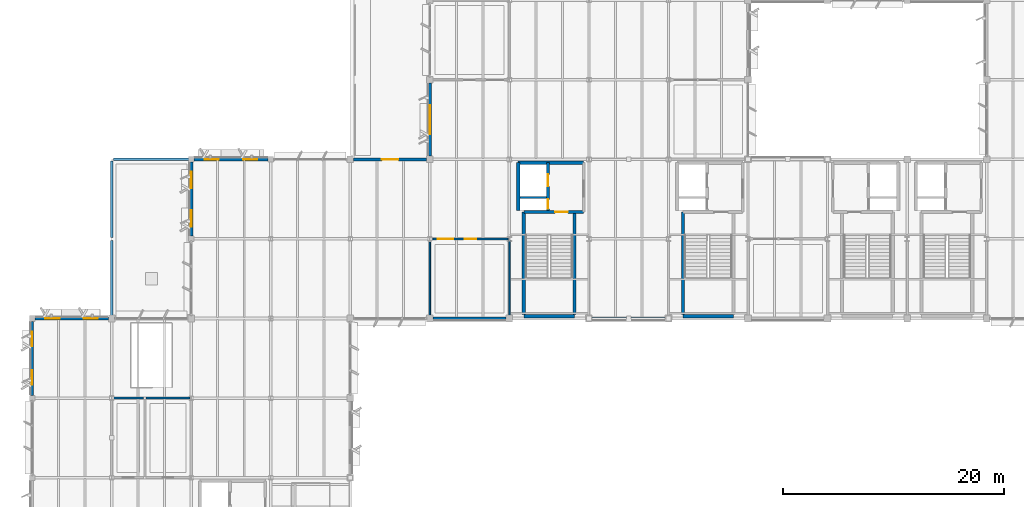
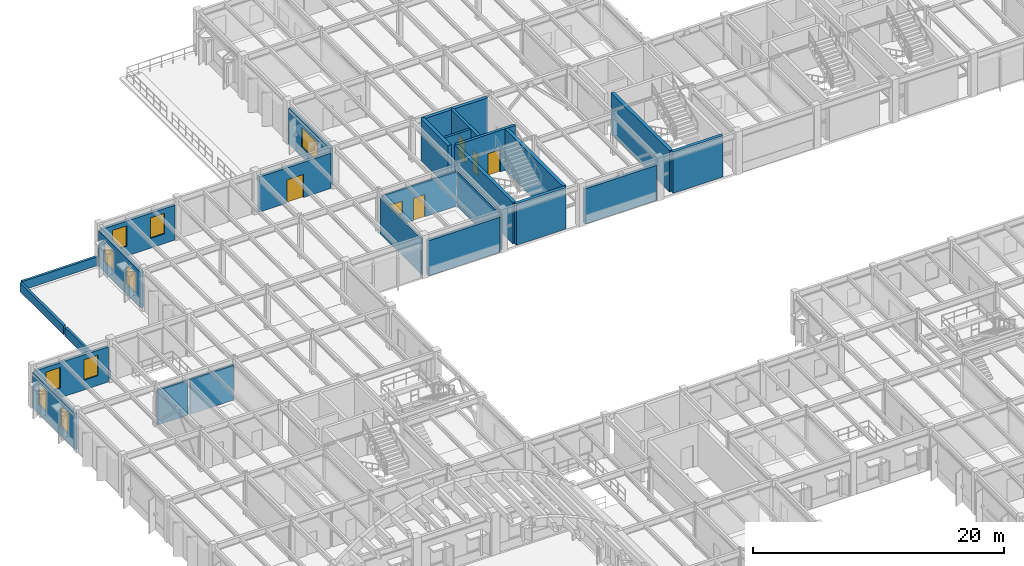
# One storey, part 39 of 85: 26 walls, 10 windows, 5 doors, 15 openings.
"""IFC4 building model written with IfcOpenShell, lengths in metres."""

from ifc_helpers import new_model, si_unit, direction, frame, frame_2d, origin, place, context, subcontext, project, spatial, rectangle, extrude, material, layer, layer_set, type_object, element, fill, save


model = new_model("IFC4")

# Units and contexts
model_context = context("Model", 3, precision=1e-05, world=origin(), true_north=direction((0.0, 1.0)))
body_context = subcontext(model_context, "Body", "Model", "MODEL_VIEW")
ifc_project = project(units=[si_unit("LENGTHUNIT", "METRE"), si_unit("AREAUNIT", "SQUARE_METRE"), si_unit("VOLUMEUNIT", "CUBIC_METRE"), si_unit("PLANEANGLEUNIT", "RADIAN"), si_unit("MASSUNIT", "GRAM", prefix="KILO")], contexts=[model_context])

# Site, building, storey
site_placement = place(None, origin())
site = spatial("IfcSite", under=ifc_project, at=site_placement, CompositionType="ELEMENT")
building_placement = place(site_placement, origin())
building = spatial("IfcBuilding", under=site, at=building_placement, Name="Sillqori Civic Hall", CompositionType="ELEMENT")
storey_placement = place(building_placement, frame((0.0, 0.0, 9.89990234375)))
storey = spatial("IfcBuildingStorey", under=building, at=storey_placement, Name="L03", CompositionType="ELEMENT", Elevation=9.89990234375)

# Wall
ifc_material_1 = material(Name="Concrete C35/45 (H35)", Category="concrete")
ifc_layer_1 = layer(ifc_material_1, 0.219970703125)
ifc_layer_set_1 = layer_set([ifc_layer_1], Name="Concrete C35/45 (H35)")
wall_type_1 = type_object("IfcWallType", Name="CW-SHR-220", PredefinedType="SHEAR", material=ifc_layer_set_1)
wall_1_placement = place(storey_placement, frame((51.35009765625, 90.14990234375, 0.0), z_axis=(0.0, 0.0, 1.0), x_axis=(1.0, 0.0, 0.0)))
element("IfcWall", 1, at=wall_1_placement, inside=storey, type_object=wall_type_1, Name="L03 C5 Lift-riser divider wall", PredefinedType="SHEAR", context=body_context, shape_type="SweptSolid", body=[
    extrude(rectangle(XDim=2.39990234375, YDim=0.219970703125, at=frame_2d((1.199951171875, 0.0))), origin(), (0.0, 0.0, 1.0), 4.02001953125),
])

# Wall, opening, door
ifc_layer_2 = layer(ifc_material_1, 0.260009765625)
ifc_layer_set_2 = layer_set([ifc_layer_2], Name="Concrete C35/45 (H35)")
wall_type_2 = type_object("IfcWallType", Name="CW-SHR-260", PredefinedType="SHEAR", material=ifc_layer_set_2)
wall_2_placement = place(storey_placement, frame((51.7099609375, 88.85009765625, 0.0), z_axis=(0.0, 0.0, 1.0), x_axis=(1.0, 0.0, 0.0)))
wall_2 = element("IfcWall", 2, at=wall_2_placement, inside=storey, type_object=wall_type_2, Name="L03 C5 Stair-lobby fire wall", PredefinedType="SHEAR", context=body_context, shape_type="SweptSolid", body=[
    extrude(rectangle(XDim=5.41015625, YDim=0.260009765625, at=frame_2d((2.705078125, 0.0))), origin(), (0.0, 0.0, 1.0), 4.02001953125),
])
opening_1_placement = place(wall_2_placement, frame((2.840087890625, 0.0, 0.0)))
opening_1 = element("IfcOpeningElement", 3, at=opening_1_placement, cuts=wall_2, Name="Opening FD-01", PredefinedType="OPENING", context=body_context, shape_type="SweptSolid", body=[
    extrude(rectangle(XDim=1.14990234375, YDim=2.14990234375, at=frame_2d((0.574951171875, 1.074951171875))), frame((0.0, 0.139892578125, 0.0), z_axis=(0.0, -1.0, 0.0), x_axis=(1.0, 0.0, 0.0)), (0.0, 0.0, 1.0), 0.280029296875),
])
ifc_material_2 = material(Name="Galvanized Steel Fire Door FD90S", Category="steel")
door_type_1 = type_object("IfcDoorType", Name="FDR-STR-115X215", OperationType="NOTDEFINED", PredefinedType="DOOR", material=ifc_material_2)
door_1_placement = place(opening_1_placement, origin())
door_1 = element("IfcDoor", 4, at=door_1_placement, inside=storey, type_object=door_type_1, Name="L03 stair ST-05 fire door", OperationType="SINGLE_SWING_RIGHT", OverallHeight=2.14990234375, OverallWidth=1.14990234375, PredefinedType="DOOR", context=body_context, shape_type="SweptSolid", body=[
    extrude(rectangle(XDim=1.14990234375, YDim=2.14990234375, at=frame_2d((0.574951171875, 1.074951171875))), frame((0.0, 0.02490234375, 0.0), z_axis=(0.0, -1.0, 0.0), x_axis=(1.0, 0.0, 0.0)), (0.0, 0.0, 1.0), 0.050048828125),
])
fill(opening_1, door_1)

# Wall, openings, doors
wall_3_placement = place(storey_placement, frame((53.89990234375, 93.300048828125, 0.0), z_axis=(0.0, 0.0, 1.0), x_axis=(0.0, -1.0, 0.0)))
wall_3 = element("IfcWall", 5, at=wall_3_placement, inside=storey, type_object=wall_type_2, Name="L03 C5 Lift landing & riser front wall", PredefinedType="SHEAR", context=body_context, shape_type="SweptSolid", body=[
    extrude(rectangle(XDim=4.320068359375, YDim=0.260009765625, at=frame_2d((2.16015625, 0.0))), origin(), (0.0, 0.0, 1.0), 4.02001953125),
])
opening_2_placement = place(wall_3_placement, frame((1.050048828125, 0.0, 0.0)))
opening_2 = element("IfcOpeningElement", 6, at=opening_2_placement, cuts=wall_3, Name="Opening LD-01", PredefinedType="OPENING", context=body_context, shape_type="SweptSolid", body=[
    extrude(rectangle(XDim=1.10009765625, YDim=2.14990234375, at=frame_2d((0.550048828125, 1.074951171875))), frame((0.0, 0.139892578125, 0.0), z_axis=(0.0, -1.0, 0.0), x_axis=(1.0, 0.0, 0.0)), (0.0, 0.0, 1.0), 0.280029296875),
])
opening_3_placement = place(wall_3_placement, frame((3.324951171875, 0.0, 0.0)))
opening_3 = element("IfcOpeningElement", 7, at=opening_3_placement, cuts=wall_3, Name="Opening FD-05", PredefinedType="OPENING", context=body_context, shape_type="SweptSolid", body=[
    extrude(rectangle(XDim=0.85009765625, YDim=2.050048828125, at=frame_2d((0.425048828125, 1.02490234375))), frame((0.0, 0.139892578125, 0.0), z_axis=(0.0, -1.0, 0.0), x_axis=(1.0, 0.0, 0.0)), (0.0, 0.0, 1.0), 0.280029296875),
])
ifc_material_3 = material(Name="Steel Riser Access Fire Door", Category="steel")
door_type_2 = type_object("IfcDoorType", Name="FDR-RSR-085X205", OperationType="NOTDEFINED", PredefinedType="DOOR", material=ifc_material_3)
door_2_placement = place(opening_3_placement, origin())
door_2 = element("IfcDoor", 8, at=door_2_placement, inside=storey, type_object=door_type_2, Name="L03 MEP riser C5 fire access door", OperationType="SINGLE_SWING_LEFT", OverallHeight=2.050048828125, OverallWidth=0.85009765625, PredefinedType="DOOR", context=body_context, shape_type="SweptSolid", body=[
    extrude(rectangle(XDim=0.85009765625, YDim=2.050048828125, at=frame_2d((0.425048828125, 1.02490234375))), frame((0.0, 0.02490234375, 0.0), z_axis=(0.0, -1.0, 0.0), x_axis=(1.0, 0.0, 0.0)), (0.0, 0.0, 1.0), 0.050048828125),
])
fill(opening_3, door_2)
ifc_material_4 = material(Name="Stainless Steel Lift Landing Door", Category="steel")
door_type_3 = type_object("IfcDoorType", Name="LDR-PASS-110X215", OperationType="NOTDEFINED", PredefinedType="DOOR", material=ifc_material_4)
door_3_placement = place(opening_2_placement, origin())
door_3 = element("IfcDoor", 9, at=door_3_placement, inside=storey, type_object=door_type_3, Name="L03 lift LF-03 sliding landing door", OperationType="DOUBLE_DOOR_SLIDING", OverallHeight=2.14990234375, OverallWidth=1.10009765625, PredefinedType="DOOR", context=body_context, shape_type="SweptSolid", body=[
    extrude(rectangle(XDim=1.10009765625, YDim=2.14990234375, at=frame_2d((0.550048828125, 1.074951171875))), frame((0.0, 0.02490234375, 0.0), z_axis=(0.0, -1.0, 0.0), x_axis=(1.0, 0.0, 0.0)), (0.0, 0.0, 1.0), 0.050048828125),
])
fill(opening_2, door_3)

# Walls
ifc_layer_3 = layer(ifc_material_1, 0.300048828125)
ifc_layer_set_3 = layer_set([ifc_layer_3], Name="Concrete C35/45 (H35)")
wall_type_3 = type_object("IfcWallType", Name="CW-SHR-300", PredefinedType="SHEAR", material=ifc_layer_set_3)
wall_4_placement = place(storey_placement, frame((51.7099609375, 79.39990234375, 0.0), z_axis=(0.0, 0.0, 1.0), x_axis=(1.0, 0.0, 0.0)))
element("IfcWall", 10, at=wall_4_placement, inside=storey, type_object=wall_type_3, Name="L03 C5 Stair south shear wall", PredefinedType="SHEAR", context=body_context, shape_type="SweptSolid", body=[
    extrude(rectangle(XDim=4.580078125, YDim=0.300048828125, at=frame_2d((2.2900390625, 0.0))), origin(), (0.0, 0.0, 1.0), 4.02001953125),
])
for number, where, z_axis, x_axis, name in (
    (11, (51.7099609375, 79.550048828125, 0.0), (0.0, 0.0, 1.0), (0.0, 1.0, 0.0), "L03 C5 Stair west shear wall"),
    (12, (56.2900390625, 79.550048828125, 0.0), (0.0, 0.0, 1.0), (0.0, 1.0, 0.0), "L03 C5 Stair east shear wall"),
):
    element("IfcWall", number, at=place(storey_placement, frame(where, z_axis=z_axis, x_axis=x_axis)), inside=storey, type_object=wall_type_3, Name=name, PredefinedType="SHEAR", context=body_context, shape_type="SweptSolid", body=[
        extrude(rectangle(XDim=9.300048828125, YDim=0.300048828125, at=frame_2d((4.64990234375, 0.0))), origin(), (0.0, 0.0, 1.0), 4.02001953125),
    ])
wall_5_placement = place(storey_placement, frame((51.199951171875, 88.97998046875, 0.0), z_axis=(0.0, 0.0, 1.0), x_axis=(0.0, 1.0, 0.0)))
element("IfcWall", 13, at=wall_5_placement, inside=storey, type_object=wall_type_3, Name="L03 C5 Lift shaft west shear wall", PredefinedType="SHEAR", context=body_context, shape_type="SweptSolid", body=[
    extrude(rectangle(XDim=4.320068359375, YDim=0.300048828125, at=frame_2d((2.16015625, 0.0))), origin(), (0.0, 0.0, 1.0), 4.02001953125),
])
wall_6_placement = place(storey_placement, frame((51.199951171875, 93.300048828125, 0.0), z_axis=(0.0, 0.0, 1.0), x_axis=(1.0, 0.0, 0.0)))
element("IfcWall", 14, at=wall_6_placement, inside=storey, type_object=wall_type_3, Name="L03 C5 Core north shear wall", PredefinedType="SHEAR", context=body_context, shape_type="SweptSolid", body=[
    extrude(rectangle(XDim=5.920166015625, YDim=0.300048828125, at=frame_2d((2.9599609375, 0.0))), origin(), (0.0, 0.0, 1.0), 4.02001953125),
])
wall_7_placement = place(storey_placement, frame((66.110107421875, 79.39990234375, 0.0), z_axis=(0.0, 0.0, 1.0), x_axis=(1.0, 0.0, 0.0)))
element("IfcWall", 15, at=wall_7_placement, inside=storey, type_object=wall_type_3, Name="L03 C6 Stair south shear wall", PredefinedType="SHEAR", context=body_context, shape_type="SweptSolid", body=[
    extrude(rectangle(XDim=4.579833984375, YDim=0.300048828125, at=frame_2d((2.2900390625, 0.0))), origin(), (0.0, 0.0, 1.0), 4.02001953125),
])
wall_8_placement = place(storey_placement, frame((66.110107421875, 79.550048828125, 0.0), z_axis=(0.0, 0.0, 1.0), x_axis=(0.0, 1.0, 0.0)))
element("IfcWall", 16, at=wall_8_placement, inside=storey, type_object=wall_type_3, Name="L03 C6 Stair west shear wall", PredefinedType="SHEAR", context=body_context, shape_type="SweptSolid", body=[
    extrude(rectangle(XDim=9.300048828125, YDim=0.300048828125, at=frame_2d((4.64990234375, 0.0))), origin(), (0.0, 0.0, 1.0), 4.02001953125),
])

# Wall, openings, windows
ifc_material_5 = material(Name="Precast concrete C40/50 (H40)", Category="concrete")
ifc_layer_4 = layer(ifc_material_5, 0.280029296875)
ifc_layer_set_4 = layer_set([ifc_layer_4], Name="Precast concrete C40/50 (H40)")
wall_type_4 = type_object("IfcWallType", Name="EW-LIME-280", PredefinedType="SOLIDWALL", material=ifc_layer_set_4)
wall_9_placement = place(storey_placement, frame((21.85009765625, 93.60009765625, 0.0), z_axis=(0.0, 0.0, 1.0), x_axis=(1.0, 0.0, 0.0)))
wall_9 = element("IfcWall", 17, at=wall_9_placement, inside=storey, type_object=wall_type_4, Name="L03 V4 exterior wall L03-03-12-N", PredefinedType="SOLIDWALL", context=body_context, shape_type="SweptSolid", body=[
    extrude(rectangle(XDim=6.699951171875, YDim=0.280029296875, at=frame_2d((3.35009765625, 0.0))), origin(), (0.0, 0.0, 1.0), 3.398193359375),
])
opening_4_placement = place(wall_9_placement, frame((0.9580078125, 0.0, 0.949951171875)))
opening_4 = element("IfcOpeningElement", 18, at=opening_4_placement, cuts=wall_9, Name="Opening W-10", PredefinedType="OPENING", context=body_context, shape_type="SweptSolid", body=[
    extrude(rectangle(XDim=1.300048828125, YDim=2.0, at=frame_2d((0.64990234375, 1.0))), frame((0.0, 0.14990234375, 0.0), z_axis=(0.0, -1.0, 0.0), x_axis=(1.0, 0.0, 0.0)), (0.0, 0.0, 1.0), 0.300048828125),
])
opening_5_placement = place(wall_9_placement, frame((4.44189453125, 0.0, 0.949951171875)))
opening_5 = element("IfcOpeningElement", 19, at=opening_5_placement, cuts=wall_9, Name="Opening W-10", PredefinedType="OPENING", context=body_context, shape_type="SweptSolid", body=[
    extrude(rectangle(XDim=1.300048828125, YDim=2.0, at=frame_2d((0.64990234375, 1.0))), frame((0.0, 0.14990234375, 0.0), z_axis=(0.0, -1.0, 0.0), x_axis=(1.0, 0.0, 0.0)), (0.0, 0.0, 1.0), 0.300048828125),
])
ifc_material_6 = material(Name="Thermally Broken Aluminium Low-E Window", Category="aluminium")
window_type_1 = type_object("IfcWindowType", Name="WIN-V3-130X200", PartitioningType="SINGLE_PANEL", PredefinedType="WINDOW", material=ifc_material_6)
window_1_placement = place(opening_4_placement, origin())
window_1 = element("IfcWindow", 20, at=window_1_placement, inside=storey, type_object=window_type_1, Name="L03 V4 window L03-03-12-N.1", OverallHeight=2.0, OverallWidth=1.300048828125, PartitioningType="SINGLE_PANEL", PredefinedType="WINDOW", context=body_context, shape_type="SweptSolid", body=[
    extrude(rectangle(XDim=1.300048828125, YDim=2.0, at=frame_2d((0.64990234375, 1.0))), frame((0.0, 0.030029296875, 0.0), z_axis=(0.0, -1.0, 0.0), x_axis=(1.0, 0.0, 0.0)), (0.0, 0.0, 1.0), 0.06005859375),
])
fill(opening_4, window_1)
window_2_placement = place(opening_5_placement, origin())
window_2 = element("IfcWindow", 21, at=window_2_placement, inside=storey, type_object=window_type_1, Name="L03 V4 window L03-03-12-N.2", OverallHeight=2.0, OverallWidth=1.300048828125, PartitioningType="SINGLE_PANEL", PredefinedType="WINDOW", context=body_context, shape_type="SweptSolid", body=[
    extrude(rectangle(XDim=1.300048828125, YDim=2.0, at=frame_2d((0.64990234375, 1.0))), frame((0.0, 0.030029296875, 0.0), z_axis=(0.0, -1.0, 0.0), x_axis=(1.0, 0.0, 0.0)), (0.0, 0.0, 1.0), 0.06005859375),
])
fill(opening_5, window_2)

wall_10_placement = place(storey_placement, frame((21.60009765625, 86.64990234375, 0.0), z_axis=(0.0, 0.0, 1.0), x_axis=(0.0, 1.0, 0.0)))
wall_10 = element("IfcWall", 22, at=wall_10_placement, inside=storey, type_object=wall_type_4, Name="L03 V4 exterior wall L03-03-12-W", PredefinedType="SOLIDWALL", context=body_context, shape_type="SweptSolid", body=[
    extrude(rectangle(XDim=6.7001953125, YDim=0.280029296875, at=frame_2d((3.35009765625, 0.0))), origin(), (0.0, 0.0, 1.0), 3.467041015625),
])
opening_6_placement = place(wall_10_placement, frame((0.85791015625, 0.0, 0.949951171875)))
opening_6 = element("IfcOpeningElement", 23, at=opening_6_placement, cuts=wall_10, Name="Opening W-15", PredefinedType="OPENING", context=body_context, shape_type="SweptSolid", body=[
    extrude(rectangle(XDim=1.5, YDim=1.89990234375, at=frame_2d((0.75, 0.949951171875))), frame((0.0, 0.14990234375, 0.0), z_axis=(0.0, -1.0, 0.0), x_axis=(1.0, 0.0, 0.0)), (0.0, 0.0, 1.0), 0.300048828125),
])
opening_7_placement = place(wall_10_placement, frame((4.342041015625, 0.0, 0.949951171875)))
opening_7 = element("IfcOpeningElement", 24, at=opening_7_placement, cuts=wall_10, Name="Opening W-15", PredefinedType="OPENING", context=body_context, shape_type="SweptSolid", body=[
    extrude(rectangle(XDim=1.5, YDim=1.89990234375, at=frame_2d((0.75, 0.949951171875))), frame((0.0, 0.14990234375, 0.0), z_axis=(0.0, -1.0, 0.0), x_axis=(1.0, 0.0, 0.0)), (0.0, 0.0, 1.0), 0.300048828125),
])
window_type_2 = type_object("IfcWindowType", Name="WIN-V4-150X190", PartitioningType="SINGLE_PANEL", PredefinedType="WINDOW", material=ifc_material_6)
window_3_placement = place(opening_6_placement, origin())
window_3 = element("IfcWindow", 25, at=window_3_placement, inside=storey, type_object=window_type_2, Name="L03 V4 window L03-03-12-W.1", OverallHeight=1.89990234375, OverallWidth=1.5, PartitioningType="SINGLE_PANEL", PredefinedType="WINDOW", context=body_context, shape_type="SweptSolid", body=[
    extrude(rectangle(XDim=1.5, YDim=1.89990234375, at=frame_2d((0.75, 0.949951171875))), frame((0.0, 0.030029296875, 0.0), z_axis=(0.0, -1.0, 0.0), x_axis=(1.0, 0.0, 0.0)), (0.0, 0.0, 1.0), 0.06005859375),
])
fill(opening_6, window_3)
window_4_placement = place(opening_7_placement, origin())
window_4 = element("IfcWindow", 26, at=window_4_placement, inside=storey, type_object=window_type_2, Name="L03 V4 window L03-03-12-W.2", OverallHeight=1.89990234375, OverallWidth=1.5, PartitioningType="SINGLE_PANEL", PredefinedType="WINDOW", context=body_context, shape_type="SweptSolid", body=[
    extrude(rectangle(XDim=1.5, YDim=1.89990234375, at=frame_2d((0.75, 0.949951171875))), frame((0.0, 0.030029296875, 0.0), z_axis=(0.0, -1.0, 0.0), x_axis=(1.0, 0.0, 0.0)), (0.0, 0.0, 1.0), 0.06005859375),
])
fill(opening_7, window_4)

# Wall, opening, door
wall_11_placement = place(storey_placement, frame((36.300048828125, 93.60009765625, 0.0), z_axis=(0.0, 0.0, 1.0), x_axis=(1.0, 0.0, 0.0)))
wall_11 = element("IfcWall", 27, at=wall_11_placement, inside=storey, type_object=wall_type_4, Name="L03 V4 exterior wall L03-05-12-N", PredefinedType="SOLIDWALL", context=body_context, shape_type="SweptSolid", body=[
    extrude(rectangle(XDim=6.599853515625, YDim=0.280029296875, at=frame_2d((3.2998046875, 0.0))), origin(), (0.0, 0.0, 1.0), 3.418212890625),
])
opening_8_placement = place(wall_11_placement, frame((2.550048828125, 0.0, 0.0)))
opening_8 = element("IfcOpeningElement", 28, at=opening_8_placement, cuts=wall_11, Name="Opening ED-06", PredefinedType="OPENING", context=body_context, shape_type="SweptSolid", body=[
    extrude(rectangle(XDim=1.5, YDim=2.25, at=frame_2d((0.75, 1.125))), frame((0.0, 0.14990234375, 0.0), z_axis=(0.0, -1.0, 0.0), x_axis=(1.0, 0.0, 0.0)), (0.0, 0.0, 1.0), 0.300048828125),
])
ifc_material_7 = material(Name="Thermally Broken Anodized Aluminium and Laminated Glass", Category="aluminium")
door_type_4 = type_object("IfcDoorType", Name="EDR-TERR-150X225", OperationType="NOTDEFINED", PredefinedType="DOOR", material=ifc_material_7)
door_4_placement = place(opening_8_placement, origin())
door_4 = element("IfcDoor", 29, at=door_4_placement, inside=storey, type_object=door_type_4, Name="Planning West Setback Terrace Access Door", OperationType="DOUBLE_DOOR_SINGLE_SWING", OverallHeight=2.25, OverallWidth=1.5, PredefinedType="DOOR", context=body_context, shape_type="SweptSolid", body=[
    extrude(rectangle(XDim=1.5, YDim=2.25, at=frame_2d((0.75, 1.125))), frame((0.0, 0.02490234375, 0.0), z_axis=(0.0, -1.0, 0.0), x_axis=(1.0, 0.0, 0.0)), (0.0, 0.0, 1.0), 0.050048828125),
])
fill(opening_8, door_4)

# Wall
wall_12_placement = place(storey_placement, frame((50.10009765625, 79.199951171875, 0.0), z_axis=(0.0, 0.0, 1.0), x_axis=(-1.0, 0.0, 0.0)))
element("IfcWall", 30, at=wall_12_placement, inside=storey, type_object=wall_type_4, Name="L03 V4 exterior wall L03-06-11-S", PredefinedType="SOLIDWALL", context=body_context, shape_type="SweptSolid", body=[
    extrude(rectangle(XDim=6.60009765625, YDim=0.280029296875, at=frame_2d((3.300048828125, 0.0))), origin(), (0.0, 0.0, 1.0), 3.418212890625),
])

# Wall, opening, window
wall_13_placement = place(storey_placement, frame((43.199951171875, 93.89990234375, 0.0), z_axis=(0.0, 0.0, 1.0), x_axis=(0.0, 1.0, 0.0)))
wall_13 = element("IfcWall", 31, at=wall_13_placement, inside=storey, type_object=wall_type_4, Name="L03 V4 exterior wall L03-06-13-W", PredefinedType="SOLIDWALL", context=body_context, shape_type="SweptSolid", body=[
    extrude(rectangle(XDim=6.60009765625, YDim=0.280029296875, at=frame_2d((3.300048828125, 0.0))), origin(), (0.0, 0.0, 1.0), 3.487060546875),
])
opening_9_placement = place(wall_13_placement, frame((2.0, 0.0, 0.949951171875)))
opening_9 = element("IfcOpeningElement", 32, at=opening_9_placement, cuts=wall_13, Name="Opening W-16", PredefinedType="OPENING", context=body_context, shape_type="SweptSolid", body=[
    extrude(rectangle(XDim=2.60009765625, YDim=1.89990234375, at=frame_2d((1.300048828125, 0.949951171875))), frame((0.0, 0.14990234375, 0.0), z_axis=(0.0, -1.0, 0.0), x_axis=(1.0, 0.0, 0.0)), (0.0, 0.0, 1.0), 0.300048828125),
])
window_type_3 = type_object("IfcWindowType", Name="WIN-V4-260X190", PartitioningType="SINGLE_PANEL", PredefinedType="WINDOW", material=ifc_material_6)
window_5_placement = place(opening_9_placement, origin())
window_5 = element("IfcWindow", 33, at=window_5_placement, inside=storey, type_object=window_type_3, Name="L03 V4 window L03-06-13-W.1", OverallHeight=1.89990234375, OverallWidth=2.60009765625, PartitioningType="SINGLE_PANEL", PredefinedType="WINDOW", context=body_context, shape_type="SweptSolid", body=[
    extrude(rectangle(XDim=2.60009765625, YDim=1.89990234375, at=frame_2d((1.300048828125, 0.949951171875))), frame((0.0, 0.030029296875, 0.0), z_axis=(0.0, -1.0, 0.0), x_axis=(1.0, 0.0, 0.0)), (0.0, 0.0, 1.0), 0.06005859375),
])
fill(opening_9, window_5)

# Wall
wall_14_placement = place(storey_placement, frame((64.5, 79.199951171875, 0.0), z_axis=(0.0, 0.0, 1.0), x_axis=(-1.0, 0.0, 0.0)))
element("IfcWall", 34, at=wall_14_placement, inside=storey, type_object=wall_type_4, Name="L03 V4 exterior wall L03-08-11-S", PredefinedType="SOLIDWALL", context=body_context, shape_type="SweptSolid", body=[
    extrude(rectangle(XDim=6.60009765625, YDim=0.280029296875, at=frame_2d((3.300048828125, 0.0))), origin(), (0.0, 0.0, 1.0), 3.418212890625),
])

# Wall, openings, windows
ifc_material_8 = material(Name="Concrete C30/37 (H30)", Category="concrete")
ifc_layer_5 = layer(ifc_material_8, 0.260009765625)
ifc_layer_set_5 = layer_set([ifc_layer_5], Name="Concrete C30/37 (H30)")
wall_type_5 = type_object("IfcWallType", Name="EW-MAS-260", PredefinedType="SOLIDWALL", material=ifc_layer_set_5)
wall_15_placement = place(storey_placement, frame((7.449951171875, 79.199951171875, 0.0), z_axis=(0.0, 0.0, 1.0), x_axis=(1.0, 0.0, 0.0)))
wall_15 = element("IfcWall", 35, at=wall_15_placement, inside=storey, type_object=wall_type_5, Name="L03 V5 exterior wall L03-01-10-N", PredefinedType="SOLIDWALL", context=body_context, shape_type="SweptSolid", body=[
    extrude(rectangle(XDim=6.650146484375, YDim=0.260009765625, at=frame_2d((3.3251953125, 0.0))), origin(), (0.0, 0.0, 1.0), 3.418212890625),
])
opening_10_placement = place(wall_15_placement, frame((0.946044921875, 0.0, 0.949951171875)))
opening_10 = element("IfcOpeningElement", 36, at=opening_10_placement, cuts=wall_15, Name="Opening W-10", PredefinedType="OPENING", context=body_context, shape_type="SweptSolid", body=[
    extrude(rectangle(XDim=1.300048828125, YDim=2.0, at=frame_2d((0.64990234375, 1.0))), frame((0.0, 0.139892578125, 0.0), z_axis=(0.0, -1.0, 0.0), x_axis=(1.0, 0.0, 0.0)), (0.0, 0.0, 1.0), 0.280029296875),
])
opening_11_placement = place(wall_15_placement, frame((4.404052734375, 0.0, 0.949951171875)))
opening_11 = element("IfcOpeningElement", 37, at=opening_11_placement, cuts=wall_15, Name="Opening W-10", PredefinedType="OPENING", context=body_context, shape_type="SweptSolid", body=[
    extrude(rectangle(XDim=1.300048828125, YDim=2.0, at=frame_2d((0.64990234375, 1.0))), frame((0.0, 0.139892578125, 0.0), z_axis=(0.0, -1.0, 0.0), x_axis=(1.0, 0.0, 0.0)), (0.0, 0.0, 1.0), 0.280029296875),
])
window_6_placement = place(opening_10_placement, origin())
window_6 = element("IfcWindow", 38, at=window_6_placement, inside=storey, type_object=window_type_1, Name="L03 V5 window L03-01-10-N.1", OverallHeight=2.0, OverallWidth=1.300048828125, PartitioningType="SINGLE_PANEL", PredefinedType="WINDOW", context=body_context, shape_type="SweptSolid", body=[
    extrude(rectangle(XDim=1.300048828125, YDim=2.0, at=frame_2d((0.64990234375, 1.0))), frame((0.0, 0.030029296875, 0.0), z_axis=(0.0, -1.0, 0.0), x_axis=(1.0, 0.0, 0.0)), (0.0, 0.0, 1.0), 0.06005859375),
])
fill(opening_10, window_6)
window_7_placement = place(opening_11_placement, origin())
window_7 = element("IfcWindow", 39, at=window_7_placement, inside=storey, type_object=window_type_1, Name="L03 V5 window L03-01-10-N.2", OverallHeight=2.0, OverallWidth=1.300048828125, PartitioningType="SINGLE_PANEL", PredefinedType="WINDOW", context=body_context, shape_type="SweptSolid", body=[
    extrude(rectangle(XDim=1.300048828125, YDim=2.0, at=frame_2d((0.64990234375, 1.0))), frame((0.0, 0.030029296875, 0.0), z_axis=(0.0, -1.0, 0.0), x_axis=(1.0, 0.0, 0.0)), (0.0, 0.0, 1.0), 0.06005859375),
])
fill(opening_11, window_7)

wall_16_placement = place(storey_placement, frame((7.199951171875, 72.25, 0.0), z_axis=(0.0, 0.0, 1.0), x_axis=(0.0, 1.0, 0.0)))
wall_16 = element("IfcWall", 40, at=wall_16_placement, inside=storey, type_object=wall_type_5, Name="L03 V5 exterior wall L03-01-10-W", PredefinedType="SOLIDWALL", context=body_context, shape_type="SweptSolid", body=[
    extrude(rectangle(XDim=6.699951171875, YDim=0.260009765625, at=frame_2d((3.35009765625, 0.0))), origin(), (0.0, 0.0, 1.0), 3.487060546875),
])
opening_12_placement = place(wall_16_placement, frame((0.9580078125, 0.0, 0.949951171875)))
opening_12 = element("IfcOpeningElement", 41, at=opening_12_placement, cuts=wall_16, Name="Opening W-10", PredefinedType="OPENING", context=body_context, shape_type="SweptSolid", body=[
    extrude(rectangle(XDim=1.300048828125, YDim=2.0, at=frame_2d((0.64990234375, 1.0))), frame((0.0, 0.139892578125, 0.0), z_axis=(0.0, -1.0, 0.0), x_axis=(1.0, 0.0, 0.0)), (0.0, 0.0, 1.0), 0.280029296875),
])
opening_13_placement = place(wall_16_placement, frame((4.44189453125, 0.0, 0.949951171875)))
opening_13 = element("IfcOpeningElement", 42, at=opening_13_placement, cuts=wall_16, Name="Opening W-10", PredefinedType="OPENING", context=body_context, shape_type="SweptSolid", body=[
    extrude(rectangle(XDim=1.300048828125, YDim=2.0, at=frame_2d((0.64990234375, 1.0))), frame((0.0, 0.139892578125, 0.0), z_axis=(0.0, -1.0, 0.0), x_axis=(1.0, 0.0, 0.0)), (0.0, 0.0, 1.0), 0.280029296875),
])
window_8_placement = place(opening_12_placement, origin())
window_8 = element("IfcWindow", 43, at=window_8_placement, inside=storey, type_object=window_type_1, Name="L03 V5 window L03-01-10-W.1", OverallHeight=2.0, OverallWidth=1.300048828125, PartitioningType="SINGLE_PANEL", PredefinedType="WINDOW", context=body_context, shape_type="SweptSolid", body=[
    extrude(rectangle(XDim=1.300048828125, YDim=2.0, at=frame_2d((0.64990234375, 1.0))), frame((0.0, 0.030029296875, 0.0), z_axis=(0.0, -1.0, 0.0), x_axis=(1.0, 0.0, 0.0)), (0.0, 0.0, 1.0), 0.06005859375),
])
fill(opening_12, window_8)
window_9_placement = place(opening_13_placement, origin())
window_9 = element("IfcWindow", 44, at=window_9_placement, inside=storey, type_object=window_type_1, Name="L03 V5 window L03-01-10-W.2", OverallHeight=2.0, OverallWidth=1.300048828125, PartitioningType="SINGLE_PANEL", PredefinedType="WINDOW", context=body_context, shape_type="SweptSolid", body=[
    extrude(rectangle(XDim=1.300048828125, YDim=2.0, at=frame_2d((0.64990234375, 1.0))), frame((0.0, 0.030029296875, 0.0), z_axis=(0.0, -1.0, 0.0), x_axis=(1.0, 0.0, 0.0)), (0.0, 0.0, 1.0), 0.06005859375),
])
fill(opening_13, window_9)

# Wall, openings, door, window
ifc_material_9 = material(Name="Corridor Rated Partition 146", Category="gypsum")
ifc_layer_6 = layer(ifc_material_9, 0.14599609375)
ifc_layer_set_6 = layer_set([ifc_layer_6], Name="Corridor Rated Partition 146")
wall_type_6 = type_object("IfcWallType", Name="PT-GYP-146", PredefinedType="PARTITIONING", material=ifc_layer_set_6)
wall_17_placement = place(storey_placement, frame((43.47998046875, 86.39990234375, 0.0), z_axis=(0.0, 0.0, 1.0), x_axis=(1.0, 0.0, 0.0)))
wall_17 = element("IfcWall", 45, at=wall_17_placement, inside=storey, type_object=wall_type_6, Name="Urban Planning Masterplan Studio partition N1", PredefinedType="PARTITIONING", context=body_context, shape_type="SweptSolid", body=[
    extrude(rectangle(XDim=6.800048828125, YDim=0.14599609375, at=frame_2d((3.39990234375, 0.0))), origin(), (0.0, 0.0, 1.0), 3.408203125),
])
opening_14_placement = place(wall_17_placement, frame((2.875, 0.0, 0.0)))
opening_14 = element("IfcOpeningElement", 46, at=opening_14_placement, cuts=wall_17, Name="Opening ID-14", PredefinedType="OPENING", context=body_context, shape_type="SweptSolid", body=[
    extrude(rectangle(XDim=1.050048828125, YDim=2.14990234375, at=frame_2d((0.52490234375, 1.074951171875))), frame((0.0, 0.0830078125, 0.0), z_axis=(0.0, -1.0, 0.0), x_axis=(1.0, 0.0, 0.0)), (0.0, 0.0, 1.0), 0.166015625),
])
opening_15_placement = place(wall_17_placement, frame((0.449951171875, 0.0, 1.050048828125)))
opening_15 = element("IfcOpeningElement", 47, at=opening_15_placement, cuts=wall_17, Name="Opening IW-08", PredefinedType="OPENING", context=body_context, shape_type="SweptSolid", body=[
    extrude(rectangle(XDim=1.39990234375, YDim=1.199951171875, at=frame_2d((0.699951171875, 0.60009765625))), frame((0.0, 0.0830078125, 0.0), z_axis=(0.0, -1.0, 0.0), x_axis=(1.0, 0.0, 0.0)), (0.0, 0.0, 1.0), 0.166015625),
])
ifc_material_10 = material(Name="Solid-Core Cedar Office Door 1050", Category="timber")
door_type_5 = type_object("IfcDoorType", Name="IDR-OFF-105X215", OperationType="NOTDEFINED", PredefinedType="DOOR", material=ifc_material_10)
door_5_placement = place(opening_14_placement, origin())
door_5 = element("IfcDoor", 48, at=door_5_placement, inside=storey, type_object=door_type_5, Name="Urban Planning Masterplan Studio entrance door", OperationType="SINGLE_SWING_RIGHT", OverallHeight=2.14990234375, OverallWidth=1.050048828125, PredefinedType="DOOR", context=body_context, shape_type="SweptSolid", body=[
    extrude(rectangle(XDim=1.050048828125, YDim=2.14990234375, at=frame_2d((0.52490234375, 1.074951171875))), frame((0.0, 0.02490234375, 0.0), z_axis=(0.0, -1.0, 0.0), x_axis=(1.0, 0.0, 0.0)), (0.0, 0.0, 1.0), 0.050048828125),
])
fill(opening_14, door_5)
ifc_material_11 = material(Name="Acoustic Laminated Interior Clerestory Glazing", Category="glass")
window_type_4 = type_object("IfcWindowType", Name="IWN-STU-140X120", PartitioningType="SINGLE_PANEL", PredefinedType="WINDOW", material=ifc_material_11)
window_10_placement = place(opening_15_placement, origin())
window_10 = element("IfcWindow", 49, at=window_10_placement, inside=storey, type_object=window_type_4, Name="Urban Planning Masterplan Studio borrowed-light screen", OverallHeight=1.199951171875, OverallWidth=1.39990234375, PartitioningType="SINGLE_PANEL", PredefinedType="WINDOW", context=body_context, shape_type="SweptSolid", body=[
    extrude(rectangle(XDim=1.39990234375, YDim=1.199951171875, at=frame_2d((0.699951171875, 0.60009765625))), frame((0.0, 0.030029296875, 0.0), z_axis=(0.0, -1.0, 0.0), x_axis=(1.0, 0.0, 0.0)), (0.0, 0.0, 1.0), 0.06005859375),
])
fill(opening_15, window_10)

# Walls
wall_18_placement = place(storey_placement, frame((43.199951171875, 79.47998046875, 0.0), z_axis=(0.0, 0.0, 1.0), x_axis=(0.0, 1.0, 0.0)))
element("IfcWall", 50, at=wall_18_placement, inside=storey, type_object=wall_type_6, Name="Urban Planning Masterplan Studio partition W2", PredefinedType="PARTITIONING", context=body_context, shape_type="SweptSolid", body=[
    extrude(rectangle(XDim=6.64013671875, YDim=0.14599609375, at=frame_2d((3.320068359375, 0.0))), origin(), (0.0, 0.0, 1.0), 3.47705078125),
])
wall_19_placement = place(storey_placement, frame((50.39990234375, 86.280029296875, 0.0), z_axis=(0.0, 0.0, 1.0), x_axis=(0.0, -1.0, 0.0)))
element("IfcWall", 51, at=wall_19_placement, inside=storey, type_object=wall_type_6, Name="Urban Planning Masterplan Studio partition E3", PredefinedType="PARTITIONING", context=body_context, shape_type="SweptSolid", body=[
    extrude(rectangle(XDim=6.9599609375, YDim=0.14599609375, at=frame_2d((3.47998046875, 0.0))), origin(), (0.0, 0.0, 1.0), 3.408203125),
])
ifc_material_12 = material(Name="Concrete C25/30 (H25)", Category="concrete")
ifc_layer_7 = layer(ifc_material_12, 0.18994140625)
ifc_layer_set_7 = layer_set([ifc_layer_7], Name="Concrete C25/30 (H25)")
wall_type_7 = type_object("IfcWallType", Name="PT-MAS-190", PredefinedType="PARTITIONING", material=ifc_layer_set_7)
wall_20_placement = place(storey_placement, frame((14.52001953125, 72.0, 0.0), z_axis=(0.0, 0.0, 1.0), x_axis=(1.0, 0.0, 0.0)))
element("IfcWall", 52, at=wall_20_placement, inside=storey, type_object=wall_type_7, Name="L03 Accessible WC partition N2", PredefinedType="PARTITIONING", context=body_context, shape_type="SweptSolid", body=[
    extrude(rectangle(XDim=2.760009765625, YDim=0.18994140625, at=frame_2d((1.3798828125, 0.0))), origin(), (0.0, 0.0, 1.0), 3.408203125),
])
wall_21_placement = place(storey_placement, frame((17.52001953125, 72.0, 0.0), z_axis=(0.0, 0.0, 1.0), x_axis=(1.0, 0.0, 0.0)))
element("IfcWall", 53, at=wall_21_placement, inside=storey, type_object=wall_type_7, Name="L03 Staff Sanitary and Cleaners Room partition N2", PredefinedType="PARTITIONING", context=body_context, shape_type="SweptSolid", body=[
    extrude(rectangle(XDim=3.9599609375, YDim=0.18994140625, at=frame_2d((1.97998046875, 0.0))), origin(), (0.0, 0.0, 1.0), 3.408203125),
])
ifc_layer_8 = layer(ifc_material_5, 0.219970703125)
ifc_layer_set_8 = layer_set([ifc_layer_8], Name="Precast concrete C40/50 (H40)")
wall_type_8 = type_object("IfcWallType", Name="WP-PAR-220", PredefinedType="PARAPET", material=ifc_layer_set_8)
for number, where, z_axis, x_axis, name in (
    (54, (14.550048828125, 93.60009765625, 0.0), (0.0, 0.0, 1.0), (1.0, 0.0, 0.0), "L03 roof parapet 00"),
    (55, (14.39990234375, 79.35009765625, 0.0), (0.0, 0.0, 1.0), (0.0, 1.0, 0.0), "L03 roof parapet 04"),
    (56, (14.39990234375, 86.550048828125, 0.0), (0.0, 0.0, 1.0), (0.0, 1.0, 0.0), "L03 roof parapet 05"),
):
    element("IfcWall", number, at=place(storey_placement, frame(where, z_axis=z_axis, x_axis=x_axis)), inside=storey, type_object=wall_type_8, Name=name, PredefinedType="PARAPET", context=body_context, shape_type="SweptSolid", body=[
        extrude(rectangle(XDim=6.89990234375, YDim=0.219970703125, at=frame_2d((3.449951171875, 0.0))), origin(), (0.0, 0.0, 1.0), 0.85009765625),
    ])

save(model, "model.ifc")
